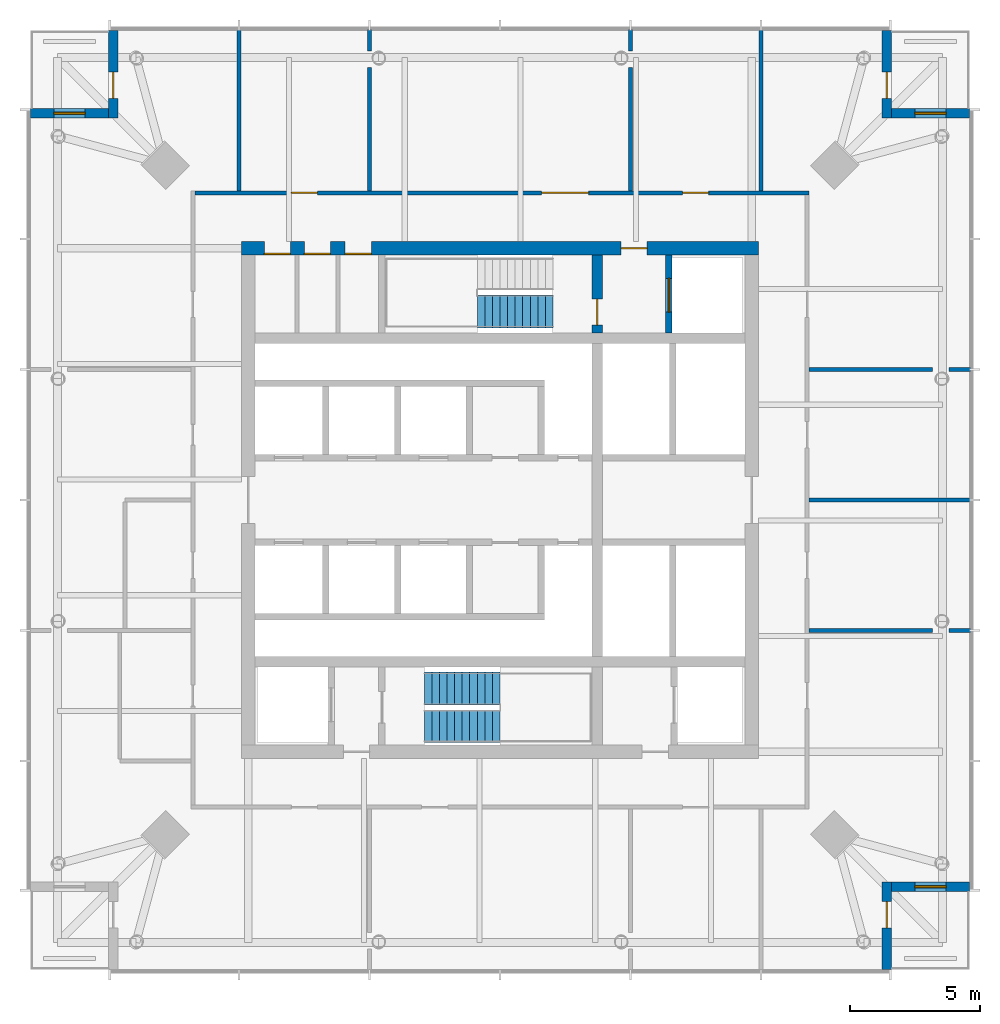
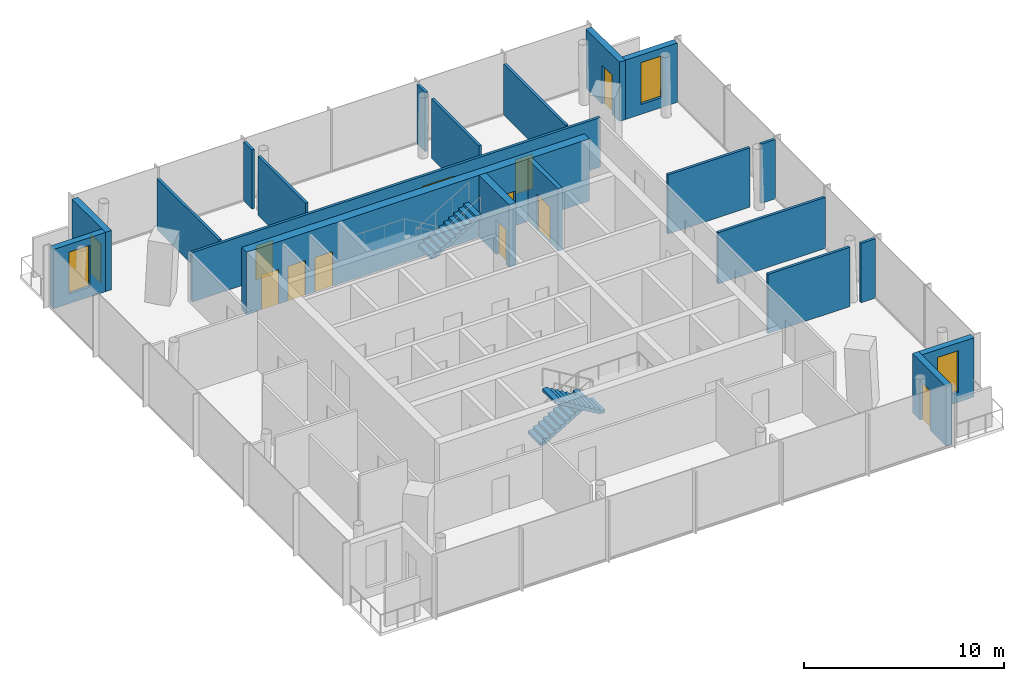
# One storey, part 5 of 7: 21 walls, 12 doors, 3 stair flights, 3 windows, 15 openings, 2 elements without a shape of their own.
"""IFC4 building model written with IfcOpenShell, lengths in metres."""

import ifcopenshell
import ifcopenshell.guid

model = None  # the IFC model being written
_history = None  # IfcOwnerHistory: only IFC2X3 demands one
_inside = {}  # id of a spatial element -> (the spatial element, [elements in it])
_under = {}  # id of a project, library or spatial element -> (it, [spatial elements below it])
_declared = {}  # id of a project -> (the project, [libraries it declares])
_typed = {}  # id of a type object -> (the type object, [elements of that type])
_made_of = {}  # id of a material, layer set ... -> (it, [elements and type objects made of it])


def new_model(schema):
    """Start an empty IFC model of exactly this schema.

    Asked for "IFC4X3", IfcOpenShell would pick the latest addendum, in which some entities
    have other attributes; the version numbers below select the first issue.
    IFC2X3 requires an IfcOwnerHistory on every rooted entity: one is made here for all.
    """
    global model, _history
    if schema == "IFC4X3":
        model = ifcopenshell.file(schema_version=(4, 3, 0, 0))
    else:
        model = ifcopenshell.file(schema=schema)
    _inside.clear()
    _under.clear()
    _declared.clear()
    _typed.clear()
    _made_of.clear()
    _history = None
    if model.schema == "IFC2X3":
        org = make("IfcOrganization", Name="unknown")
        user = make(
            "IfcPersonAndOrganization",
            ThePerson=make("IfcPerson", FamilyName="unknown"),
            TheOrganization=org,
        )
        app = make(
            "IfcApplication",
            ApplicationDeveloper=org,
            Version="unknown",
            ApplicationFullName="unknown",
            ApplicationIdentifier="unknown",
        )
        _history = make(
            "IfcOwnerHistory",
            OwningUser=user,
            OwningApplication=app,
            ChangeAction="ADDED",
            CreationDate=0,
        )
    return model


def make(cls, **values):
    """One entity of the class cls with the attributes given. An attribute that is None is left unset."""
    return model.create_entity(
        cls, **{name: value for name, value in values.items() if value is not None}
    )


def rooted(cls, **values):
    """An entity with a GlobalId (a new one), such as an element, a storey or a relation."""
    return make(cls, GlobalId=ifcopenshell.guid.new(), OwnerHistory=_history, **values)


def si_unit(unit_type, name, prefix=None):
    """IfcSIUnit, for example si_unit("LENGTHUNIT", "METRE", prefix="MILLI")."""
    return make("IfcSIUnit", UnitType=unit_type, Prefix=prefix, Name=name)


def assignment(units):
    """IfcUnitAssignment: the units of a project."""
    return None if units is None else make("IfcUnitAssignment", Units=units)


def point(xyz):
    """IfcCartesianPoint."""
    return None if xyz is None else make("IfcCartesianPoint", Coordinates=xyz)


def direction(xyz):
    """IfcDirection."""
    return None if xyz is None else make("IfcDirection", DirectionRatios=xyz)


def frame(location, z_axis=None, x_axis=None):
    """IfcAxis2Placement3D, a coordinate frame: its origin and axes. An axis left out is left unset."""
    return make(
        "IfcAxis2Placement3D",
        Location=point(location),
        Axis=direction(z_axis),
        RefDirection=direction(x_axis),
    )


def frame_2d(location, x_axis=None):
    """IfcAxis2Placement2D, a coordinate frame in the plane: its origin and x axis."""
    return make(
        "IfcAxis2Placement2D", Location=point(location), RefDirection=direction(x_axis)
    )


def origin():
    """The frame at (0, 0, 0) with its axes left unset."""
    return frame((0.0, 0.0, 0.0))


def place(relative_to, where):
    """IfcLocalPlacement: puts the frame where relative to a parent placement (None: the world)."""
    return make(
        "IfcLocalPlacement", PlacementRelTo=relative_to, RelativePlacement=where
    )


def context(
    kind, dimensions, precision=None, world=None, true_north=None, identifier=None
):
    """IfcGeometricRepresentationContext, for example the 3D "Model" context."""
    return make(
        "IfcGeometricRepresentationContext",
        ContextIdentifier=identifier,
        ContextType=kind,
        CoordinateSpaceDimension=dimensions,
        Precision=precision,
        WorldCoordinateSystem=world,
        TrueNorth=true_north,
    )


def subcontext(parent, identifier, kind, view, scale=None):
    """IfcGeometricRepresentationSubContext, for example "Body" below "Model"."""
    return make(
        "IfcGeometricRepresentationSubContext",
        ContextIdentifier=identifier,
        ContextType=kind,
        ParentContext=parent,
        TargetScale=scale,
        TargetView=view,
    )


def project(units=None, contexts=None):
    """IfcProject with its units and contexts."""
    return rooted(
        "IfcProject",
        Name="project",
        RepresentationContexts=contexts,
        UnitsInContext=assignment(units),
    )


def spatial(cls, under=None, at=None, **own):
    """A site, building, storey or space (cls), placed at a placement, below another one or the project."""
    s = rooted(cls, ObjectPlacement=at, **own)
    if under is not None:
        _under.setdefault(under.id(), (under, []))[1].append(s)
    return s


def polyline(points):
    """IfcPolyline through the points."""
    return make("IfcPolyline", Points=[point(p) for p in points])


def profile(cls, at=None, kind="AREA", **sizes):
    """A parametric profile (cls). Its sizes go by their IFC names, for example OverallWidth=200.0."""
    return make(cls, ProfileType=kind, Position=at, **sizes)


def rectangle(**sizes):
    """IfcRectangleProfileDef."""
    return profile("IfcRectangleProfileDef", **sizes)


def outline(outer, holes=None, kind="AREA"):
    """IfcArbitraryClosedProfileDef: a profile drawn as a closed curve; with holes, ...WithVoids."""
    if holes is None:
        return make("IfcArbitraryClosedProfileDef", ProfileType=kind, OuterCurve=outer)
    return make(
        "IfcArbitraryProfileDefWithVoids",
        ProfileType=kind,
        OuterCurve=outer,
        InnerCurves=holes,
    )


def extrude(swept, where, along, depth):
    """IfcExtrudedAreaSolid: the profile swept, set in the frame where, extruded along a direction by depth."""
    return make(
        "IfcExtrudedAreaSolid",
        SweptArea=swept,
        Position=where,
        ExtrudedDirection=direction(along),
        Depth=depth,
    )


def shape(context_of_items, identifier, shape_type, items):
    """IfcShapeRepresentation: the items that make up one representation, for example the "Body"."""
    return make(
        "IfcShapeRepresentation",
        ContextOfItems=context_of_items,
        RepresentationIdentifier=identifier,
        RepresentationType=shape_type,
        Items=items,
    )


def material(Name=None, Category=None):
    """IfcMaterial."""
    return make("IfcMaterial", Name=Name, Category=Category)


def layer(
    of_material, thickness, ventilated=None, Name=None, Category=None, Priority=None
):
    """IfcMaterialLayer: one layer of a wall or slab, of a material (None: an air gap)."""
    return make(
        "IfcMaterialLayer",
        Material=of_material,
        LayerThickness=thickness,
        IsVentilated=ventilated,
        Name=Name,
        Category=Category,
        Priority=Priority,
    )


def layer_set(layers, Name=None):
    """IfcMaterialLayerSet."""
    return make("IfcMaterialLayerSet", MaterialLayers=layers, LayerSetName=Name)


def made_of(thing, what):
    """Note that an element or type object is made of a material, layer set ...; save() writes the relation."""
    if what is not None:
        _made_of.setdefault(what.id(), (what, []))[1].append(thing)
    return thing


def type_object(cls, material=None, **own):
    """A type object (cls), such as IfcWallType, which elements share."""
    return made_of(rooted(cls, **own), material)


def element(
    cls,
    number,
    at=None,
    inside=None,
    cuts=None,
    type_object=None,
    material=None,
    context=None,
    identifier="Body",
    shape_type=None,
    held_by="IfcProductDefinitionShape",
    body=None,
    shapes=None,
    **own,
):
    """One element of the class cls, such as IfcWall. Its Tag is "e" and its number.

    at: its placement. inside: the storey or other place that contains it. cuts: it is an
    opening in that element (IfcRelVoidsElement). A single representation is given by context,
    identifier, shape_type and body (its items); several are given by shapes. held_by: the class
    of the entity that holds the representations. save() writes the other relations.
    """
    e = rooted(cls, Tag="e%d" % number, ObjectPlacement=at, **own)
    if body is not None:
        shapes = [shape(context, identifier, shape_type, body)]
    if shapes is not None:
        e.Representation = make(held_by, Representations=shapes)
    if inside is not None:
        _inside.setdefault(inside.id(), (inside, []))[1].append(e)
    if cuts is not None:
        rooted(
            "IfcRelVoidsElement", RelatingBuildingElement=cuts, RelatedOpeningElement=e
        )
    if type_object is not None:
        _typed.setdefault(type_object.id(), (type_object, []))[1].append(e)
    return made_of(e, material)


def fill(opening, filler):
    """IfcRelFillsElement: the door or window that sits in an opening."""
    return rooted(
        "IfcRelFillsElement",
        RelatingOpeningElement=opening,
        RelatedBuildingElement=filler,
    )


def aggregate(whole, parts):
    """IfcRelAggregates: a whole, such as a stair, and the parts it consists of."""
    return rooted("IfcRelAggregates", RelatingObject=whole, RelatedObjects=parts)


def save(model, path):
    """Write the relations noted so far, then the file.

    IfcRelAggregates (storeys below a building ...), IfcRelContainedInSpatialStructure (elements
    in a storey), IfcRelDefinesByType, IfcRelAssociatesMaterial and IfcRelDeclares: one each for
    every whole, place, type object, material and project.
    """
    for whole, parts in _under.values():
        aggregate(whole, parts)
    for where, things in _inside.values():
        rooted(
            "IfcRelContainedInSpatialStructure",
            RelatedElements=things,
            RelatingStructure=where,
        )
    for kind, things in _typed.values():
        rooted("IfcRelDefinesByType", RelatedObjects=things, RelatingType=kind)
    for what, things in _made_of.values():
        rooted("IfcRelAssociatesMaterial", RelatedObjects=things, RelatingMaterial=what)
    for by, libraries in _declared.values():
        rooted("IfcRelDeclares", RelatingContext=by, RelatedDefinitions=libraries)
    model.write(path)


model = new_model("IFC4")

# Units and contexts
model_context = context("Model", 3, precision=1e-05, world=origin(), true_north=direction((0.0, 1.0)))
body_context = subcontext(model_context, "Body", "Model", "MODEL_VIEW")
ifc_project = project(units=[si_unit("LENGTHUNIT", "METRE"), si_unit("AREAUNIT", "SQUARE_METRE"), si_unit("VOLUMEUNIT", "CUBIC_METRE"), si_unit("PLANEANGLEUNIT", "RADIAN"), si_unit("MASSUNIT", "GRAM", prefix="KILO")], contexts=[model_context])

# Site, building, storey
site_placement = place(None, origin())
site = spatial("IfcSite", under=ifc_project, at=site_placement, CompositionType="ELEMENT")
building_placement = place(site_placement, origin())
building = spatial("IfcBuilding", under=site, at=building_placement, Name="Ostroluk Exchange", CompositionType="ELEMENT")
storey_placement = place(building_placement, frame((0.0, 0.0, 241.39990234375)))
storey = spatial("IfcBuildingStorey", under=building, at=storey_placement, Name="L62", CompositionType="ELEMENT", Elevation=241.39990234375)

# Wall, opening, door
ifc_material_1 = material(Name="Concrete C50/60", Category="concrete")
ifc_layer_1 = layer(ifc_material_1, 0.39990234375)
ifc_layer_set_1 = layer_set([ifc_layer_1], Name="Core cross wall 400 C50/60")
wall_type_1 = type_object("IfcWallType", Name="Core cross wall 400 C50/60", PredefinedType="SHEAR", material=ifc_layer_set_1)
wall_1_placement = place(storey_placement, frame((48.72998046875, 52.39990234375, 0.0), z_axis=(0.0, 0.0, 1.0), x_axis=(0.0, 1.0, 0.0)))
wall_1 = element("IfcWall", 1, at=wall_1_placement, inside=storey, type_object=wall_type_1, Name="T1 core wall YE3", PredefinedType="SHEAR", context=body_context, shape_type="SweptSolid", body=[
    extrude(rectangle(XDim=3.0, YDim=0.39990234375, at=frame_2d((1.5, 0.0))), origin(), (0.0, 0.0, 1.0), 3.800048828125),
])
opening_1_placement = place(wall_1_placement, frame((0.300048828125, 0.0, 0.0)))
opening_1 = element("IfcOpeningElement", 2, at=opening_1_placement, cuts=wall_1, Name="Opening FD60", PredefinedType="OPENING", context=body_context, shape_type="SweptSolid", body=[
    extrude(rectangle(XDim=1.0, YDim=2.10009765625, at=frame_2d((0.5, 1.050048828125))), frame((0.0, 0.2099609375, 0.0), z_axis=(0.0, -1.0, 0.0), x_axis=(1.0, 0.0, 0.0)), (0.0, 0.0, 1.0), 0.419921875),
])
ifc_material_2 = material(Name="Steel", Category="steel")
door_type_1 = type_object("IfcDoorType", Name="Fire door EI 60 1000 x 2100", OperationType="SINGLE_SWING_LEFT", PredefinedType="DOOR", material=ifc_material_2)
door_1_placement = place(opening_1_placement, origin())
door_1 = element("IfcDoor", 3, at=door_1_placement, inside=storey, type_object=door_type_1, Name="Stair T1-S2 door", OperationType="SINGLE_SWING_LEFT", OverallHeight=2.10009765625, OverallWidth=1.0, PredefinedType="DOOR", context=body_context, shape_type="SweptSolid", body=[
    extrude(rectangle(XDim=1.0, YDim=2.10009765625, at=frame_2d((0.5, 1.050048828125))), frame((0.0, 0.02490234375, 0.0), z_axis=(0.0, -1.0, 0.0), x_axis=(1.0, 0.0, 0.0)), (0.0, 0.0, 1.0), 0.050048828125),
])
fill(opening_1, door_1)

ifc_material_3 = material(Name="Concrete C40/50", Category="concrete")
ifc_layer_2 = layer(ifc_material_3, 0.25)
ifc_layer_set_2 = layer_set([ifc_layer_2], Name="Core shaft wall 250")
wall_type_2 = type_object("IfcWallType", Name="Core shaft wall 250", PredefinedType="SHEAR", material=ifc_layer_set_2)
wall_2_placement = place(storey_placement, frame((51.47509765625, 52.39990234375, 0.0), z_axis=(0.0, 0.0, 1.0), x_axis=(0.0, 1.0, 0.0)))
wall_2 = element("IfcWall", 4, at=wall_2_placement, inside=storey, type_object=wall_type_2, Name="Firefighting lift shaft wall", PredefinedType="SHEAR", context=body_context, shape_type="SweptSolid", body=[
    extrude(rectangle(XDim=3.0, YDim=0.25, at=frame_2d((1.5, 0.0))), origin(), (0.0, 0.0, 1.0), 3.800048828125),
])
opening_2_placement = place(wall_2_placement, frame((0.800048828125, 0.0, 0.0)))
opening_2 = element("IfcOpeningElement", 5, at=opening_2_placement, cuts=wall_2, Name="Opening LD2", PredefinedType="OPENING", context=body_context, shape_type="SweptSolid", body=[
    extrude(rectangle(XDim=1.300048828125, YDim=2.199951171875, at=frame_2d((0.64990234375, 1.10009765625))), frame((0.0, 0.135009765625, 0.0), z_axis=(0.0, -1.0, 0.0), x_axis=(1.0, 0.0, 0.0)), (0.0, 0.0, 1.0), 0.27001953125),
])
ifc_material_4 = material(Name="Stainless steel", Category="steel")
door_type_2 = type_object("IfcDoorType", Name="Lift landing door E 60 1300 x 2200", OperationType="DOUBLE_DOOR_SLIDING", PredefinedType="DOOR", material=ifc_material_4)
door_2_placement = place(opening_2_placement, origin())
door_2 = element("IfcDoor", 6, at=door_2_placement, inside=storey, type_object=door_type_2, Name="Lift FL2 landing door", OperationType="DOUBLE_DOOR_SLIDING", OverallHeight=2.199951171875, OverallWidth=1.300048828125, PredefinedType="DOOR", context=body_context, shape_type="SweptSolid", body=[
    extrude(rectangle(XDim=1.300048828125, YDim=2.199951171875, at=frame_2d((0.64990234375, 1.10009765625))), frame((0.0, 0.02490234375, 0.0), z_axis=(0.0, -1.0, 0.0), x_axis=(1.0, 0.0, 0.0)), (0.0, 0.0, 1.0), 0.050048828125),
])
fill(opening_2, door_2)

# Wall, openings, doors
ifc_material_5 = material(Name="Concrete C50/60", Category="concrete")
ifc_layer_3 = layer(ifc_material_5, 0.5)
ifc_layer_set_3 = layer_set([ifc_layer_3], Name="Core wall 500 C50/60")
wall_type_3 = type_object("IfcWallType", Name="Core wall 500 C50/60", PredefinedType="SHEAR", material=ifc_layer_set_3)
wall_3_placement = place(storey_placement, frame((35.10009765625, 55.64990234375, 0.0), z_axis=(0.0, 0.0, 1.0), x_axis=(1.0, 0.0, 0.0)))
wall_3 = element("IfcWall", 7, at=wall_3_placement, inside=storey, type_object=wall_type_3, Name="T1 core wall N", PredefinedType="SHEAR", context=body_context, shape_type="SweptSolid", body=[
    extrude(rectangle(XDim=19.7998046875, YDim=0.5, at=frame_2d((9.89990234375, 0.0))), origin(), (0.0, 0.0, 1.0), 3.800048828125),
])
opening_3_placement = place(wall_3_placement, frame((14.5400390625, 0.0, 0.0)))
opening_3 = element("IfcOpeningElement", 8, at=opening_3_placement, cuts=wall_3, Name="Opening FD60", PredefinedType="OPENING", context=body_context, shape_type="SweptSolid", body=[
    extrude(rectangle(XDim=1.0, YDim=2.10009765625, at=frame_2d((0.5, 1.050048828125))), frame((0.0, 0.260009765625, 0.0), z_axis=(0.0, -1.0, 0.0), x_axis=(1.0, 0.0, 0.0)), (0.0, 0.0, 1.0), 0.52001953125),
])
opening_4_placement = place(wall_3_placement, frame((0.864990234375, 0.0, 0.0)))
opening_4 = element("IfcOpeningElement", 9, at=opening_4_placement, cuts=wall_3, Name="Opening FD60", PredefinedType="OPENING", context=body_context, shape_type="SweptSolid", body=[
    extrude(rectangle(XDim=1.0, YDim=2.10009765625, at=frame_2d((0.5, 1.050048828125))), frame((0.0, 0.260009765625, 0.0), z_axis=(0.0, -1.0, 0.0), x_axis=(1.0, 0.0, 0.0)), (0.0, 0.0, 1.0), 0.52001953125),
])
opening_5_placement = place(wall_3_placement, frame((2.398681640625, 0.0, 0.0)))
opening_5 = element("IfcOpeningElement", 10, at=opening_5_placement, cuts=wall_3, Name="Opening FD60", PredefinedType="OPENING", context=body_context, shape_type="SweptSolid", body=[
    extrude(rectangle(XDim=1.0, YDim=2.10009765625, at=frame_2d((0.5, 1.050048828125))), frame((0.0, 0.260009765625, 0.0), z_axis=(0.0, -1.0, 0.0), x_axis=(1.0, 0.0, 0.0)), (0.0, 0.0, 1.0), 0.52001953125),
])
opening_6_placement = place(wall_3_placement, frame((3.96630859375, 0.0, 0.0)))
opening_6 = element("IfcOpeningElement", 11, at=opening_6_placement, cuts=wall_3, Name="Opening FD60", PredefinedType="OPENING", context=body_context, shape_type="SweptSolid", body=[
    extrude(rectangle(XDim=1.0, YDim=2.10009765625, at=frame_2d((0.5, 1.050048828125))), frame((0.0, 0.260009765625, 0.0), z_axis=(0.0, -1.0, 0.0), x_axis=(1.0, 0.0, 0.0)), (0.0, 0.0, 1.0), 0.52001953125),
])
door_3_placement = place(opening_3_placement, origin())
door_3 = element("IfcDoor", 12, at=door_3_placement, inside=storey, type_object=door_type_1, Name="Firefighting lobby door", OperationType="SINGLE_SWING_RIGHT", OverallHeight=2.10009765625, OverallWidth=1.0, PredefinedType="DOOR", context=body_context, shape_type="SweptSolid", body=[
    extrude(rectangle(XDim=1.0, YDim=2.10009765625, at=frame_2d((0.5, 1.050048828125))), frame((0.0, 0.02490234375, 0.0), z_axis=(0.0, -1.0, 0.0), x_axis=(1.0, 0.0, 0.0)), (0.0, 0.0, 1.0), 0.050048828125),
])
fill(opening_3, door_3)
door_4_placement = place(opening_4_placement, origin())
door_4 = element("IfcDoor", 13, at=door_4_placement, inside=storey, type_object=door_type_1, Name="Cleaner's store door", OperationType="SINGLE_SWING_LEFT", OverallHeight=2.10009765625, OverallWidth=1.0, PredefinedType="DOOR", context=body_context, shape_type="SweptSolid", body=[
    extrude(rectangle(XDim=1.0, YDim=2.10009765625, at=frame_2d((0.5, 1.050048828125))), frame((0.0, -0.18994140625, 0.0), z_axis=(0.0, -1.0, 0.0), x_axis=(1.0, 0.0, 0.0)), (0.0, 0.0, 1.0), 0.050048828125),
])
fill(opening_4, door_4)
door_5_placement = place(opening_5_placement, origin())
door_5 = element("IfcDoor", 14, at=door_5_placement, inside=storey, type_object=door_type_1, Name="Store door", OperationType="SINGLE_SWING_LEFT", OverallHeight=2.10009765625, OverallWidth=1.0, PredefinedType="DOOR", context=body_context, shape_type="SweptSolid", body=[
    extrude(rectangle(XDim=1.0, YDim=2.10009765625, at=frame_2d((0.5, 1.050048828125))), frame((0.0, -0.18994140625, 0.0), z_axis=(0.0, -1.0, 0.0), x_axis=(1.0, 0.0, 0.0)), (0.0, 0.0, 1.0), 0.050048828125),
])
fill(opening_5, door_5)
door_6_placement = place(opening_6_placement, origin())
door_6 = element("IfcDoor", 15, at=door_6_placement, inside=storey, type_object=door_type_1, Name="Comms room door", OperationType="SINGLE_SWING_LEFT", OverallHeight=2.10009765625, OverallWidth=1.0, PredefinedType="DOOR", context=body_context, shape_type="SweptSolid", body=[
    extrude(rectangle(XDim=1.0, YDim=2.10009765625, at=frame_2d((0.5, 1.050048828125))), frame((0.0, -0.18994140625, 0.0), z_axis=(0.0, -1.0, 0.0), x_axis=(1.0, 0.0, 0.0)), (0.0, 0.0, 1.0), 0.050048828125),
])
fill(opening_6, door_6)

# Wall, opening, door
ifc_material_6 = material(Name="Limestone", Category="masonry")
ifc_layer_4 = layer(ifc_material_6, 0.35009765625)
ifc_layer_set_4 = layer_set([ifc_layer_4], Name="Limestone facade wall 350")
wall_type_4 = type_object("IfcWallType", Name="Limestone facade wall 350", PredefinedType="SOLIDWALL", material=ifc_layer_set_4)
wall_4_placement = place(storey_placement, frame((59.824951171875, 28.0, 0.0), z_axis=(0.0, 0.0, 1.0), x_axis=(0.0, 1.0, 0.0)))
wall_4 = element("IfcWall", 16, at=wall_4_placement, inside=storey, type_object=wall_type_4, Name="Office tower SE corner wall L62 a", PredefinedType="SOLIDWALL", context=body_context, shape_type="SweptSolid", body=[
    extrude(rectangle(XDim=3.35009765625, YDim=0.35009765625, at=frame_2d((1.675048828125, 0.0))), origin(), (0.0, 0.0, 1.0), 3.6201171875),
])
opening_7_placement = place(wall_4_placement, frame((1.60009765625, 0.0, 0.0)))
opening_7 = element("IfcOpeningElement", 17, at=opening_7_placement, cuts=wall_4, Name="Opening D-B1", PredefinedType="OPENING", context=body_context, shape_type="SweptSolid", body=[
    extrude(rectangle(XDim=1.0, YDim=2.39990234375, at=frame_2d((0.5, 1.199951171875))), frame((0.0, 0.18505859375, 0.0), z_axis=(0.0, -1.0, 0.0), x_axis=(1.0, 0.0, 0.0)), (0.0, 0.0, 1.0), 0.3701171875),
])
ifc_material_7 = material(Name="Bronze framed glazed door", Category="aluminium")
door_type_3 = type_object("IfcDoorType", Name="Balcony door 1000 x 2400", OperationType="SINGLE_SWING_LEFT", PredefinedType="DOOR", material=ifc_material_7)
door_7_placement = place(opening_7_placement, origin())
door_7 = element("IfcDoor", 18, at=door_7_placement, inside=storey, type_object=door_type_3, Name="Office tower SE balcony door L62", OperationType="SINGLE_SWING_RIGHT", OverallHeight=2.39990234375, OverallWidth=1.0, PredefinedType="DOOR", context=body_context, shape_type="SweptSolid", body=[
    extrude(rectangle(XDim=1.0, YDim=2.39990234375, at=frame_2d((0.5, 1.199951171875))), frame((0.0, 0.02490234375, 0.0), z_axis=(0.0, -1.0, 0.0), x_axis=(1.0, 0.0, 0.0)), (0.0, 0.0, 1.0), 0.050048828125),
])
fill(opening_7, door_7)

# Wall, opening, window
wall_5_placement = place(storey_placement, frame((60.0, 31.175048828125, 0.0), z_axis=(0.0, 0.0, 1.0), x_axis=(1.0, 0.0, 0.0)))
wall_5 = element("IfcWall", 19, at=wall_5_placement, inside=storey, type_object=wall_type_4, Name="Office tower SE corner wall L62 b", PredefinedType="SOLIDWALL", context=body_context, shape_type="SweptSolid", body=[
    extrude(rectangle(XDim=3.0, YDim=0.35009765625, at=frame_2d((1.5, 0.0))), origin(), (0.0, 0.0, 1.0), 3.6201171875),
])
opening_8_placement = place(wall_5_placement, frame((0.89990234375, 0.0, 0.60009765625)))
opening_8 = element("IfcOpeningElement", 20, at=opening_8_placement, cuts=wall_5, Name="Opening WN-L1", PredefinedType="OPENING", context=body_context, shape_type="SweptSolid", body=[
    extrude(rectangle(XDim=1.199951171875, YDim=2.550048828125, at=frame_2d((0.60009765625, 1.27490234375))), frame((0.0, 0.18505859375, 0.0), z_axis=(0.0, -1.0, 0.0), x_axis=(1.0, 0.0, 0.0)), (0.0, 0.0, 1.0), 0.3701171875),
])
ifc_material_8 = material(Name="Laminated clear glass", Category="glass")
window_type = type_object("IfcWindowType", Name="Lancet window 1200 x 2550", PartitioningType="SINGLE_PANEL", PredefinedType="WINDOW", material=ifc_material_8)
window_1_placement = place(opening_8_placement, origin())
window_1 = element("IfcWindow", 21, at=window_1_placement, inside=storey, type_object=window_type, Name="Office tower SE lancet window L62", OverallHeight=2.550048828125, OverallWidth=1.199951171875, PartitioningType="SINGLE_PANEL", PredefinedType="WINDOW", context=body_context, shape_type="SweptSolid", body=[
    extrude(rectangle(XDim=1.199951171875, YDim=2.550048828125, at=frame_2d((0.60009765625, 1.27490234375))), frame((0.0, 0.030029296875, 0.0), z_axis=(0.0, -1.0, 0.0), x_axis=(1.0, 0.0, 0.0)), (0.0, 0.0, 1.0), 0.06005859375),
])
fill(opening_8, window_1)

# Wall, opening, door
wall_6_placement = place(storey_placement, frame((59.824951171875, 64.0, 0.0), z_axis=(0.0, 0.0, 1.0), x_axis=(0.0, -1.0, 0.0)))
wall_6 = element("IfcWall", 22, at=wall_6_placement, inside=storey, type_object=wall_type_4, Name="Office tower NE corner wall L62 a", PredefinedType="SOLIDWALL", context=body_context, shape_type="SweptSolid", body=[
    extrude(rectangle(XDim=3.35009765625, YDim=0.35009765625, at=frame_2d((1.675048828125, 0.0))), origin(), (0.0, 0.0, 1.0), 3.6201171875),
])
opening_9_placement = place(wall_6_placement, frame((1.60009765625, 0.0, 0.0)))
opening_9 = element("IfcOpeningElement", 23, at=opening_9_placement, cuts=wall_6, Name="Opening D-B1", PredefinedType="OPENING", context=body_context, shape_type="SweptSolid", body=[
    extrude(rectangle(XDim=1.0, YDim=2.39990234375, at=frame_2d((0.5, 1.199951171875))), frame((0.0, 0.18505859375, 0.0), z_axis=(0.0, -1.0, 0.0), x_axis=(1.0, 0.0, 0.0)), (0.0, 0.0, 1.0), 0.3701171875),
])
door_8_placement = place(opening_9_placement, origin())
door_8 = element("IfcDoor", 24, at=door_8_placement, inside=storey, type_object=door_type_3, Name="Office tower NE balcony door L62", OperationType="SINGLE_SWING_RIGHT", OverallHeight=2.39990234375, OverallWidth=1.0, PredefinedType="DOOR", context=body_context, shape_type="SweptSolid", body=[
    extrude(rectangle(XDim=1.0, YDim=2.39990234375, at=frame_2d((0.5, 1.199951171875))), frame((0.0, 0.02490234375, 0.0), z_axis=(0.0, -1.0, 0.0), x_axis=(1.0, 0.0, 0.0)), (0.0, 0.0, 1.0), 0.050048828125),
])
fill(opening_9, door_8)

# Wall, opening, window
wall_7_placement = place(storey_placement, frame((60.0, 60.824951171875, 0.0), z_axis=(0.0, 0.0, 1.0), x_axis=(1.0, 0.0, 0.0)))
wall_7 = element("IfcWall", 25, at=wall_7_placement, inside=storey, type_object=wall_type_4, Name="Office tower NE corner wall L62 b", PredefinedType="SOLIDWALL", context=body_context, shape_type="SweptSolid", body=[
    extrude(rectangle(XDim=3.0, YDim=0.35009765625, at=frame_2d((1.5, 0.0))), origin(), (0.0, 0.0, 1.0), 3.6201171875),
])
opening_10_placement = place(wall_7_placement, frame((0.89990234375, 0.0, 0.60009765625)))
opening_10 = element("IfcOpeningElement", 26, at=opening_10_placement, cuts=wall_7, Name="Opening WN-L1", PredefinedType="OPENING", context=body_context, shape_type="SweptSolid", body=[
    extrude(rectangle(XDim=1.199951171875, YDim=2.550048828125, at=frame_2d((0.60009765625, 1.27490234375))), frame((0.0, 0.18505859375, 0.0), z_axis=(0.0, -1.0, 0.0), x_axis=(1.0, 0.0, 0.0)), (0.0, 0.0, 1.0), 0.3701171875),
])
window_2_placement = place(opening_10_placement, origin())
window_2 = element("IfcWindow", 27, at=window_2_placement, inside=storey, type_object=window_type, Name="Office tower NE lancet window L62", OverallHeight=2.550048828125, OverallWidth=1.199951171875, PartitioningType="SINGLE_PANEL", PredefinedType="WINDOW", context=body_context, shape_type="SweptSolid", body=[
    extrude(rectangle(XDim=1.199951171875, YDim=2.550048828125, at=frame_2d((0.60009765625, 1.27490234375))), frame((0.0, 0.030029296875, 0.0), z_axis=(0.0, -1.0, 0.0), x_axis=(1.0, 0.0, 0.0)), (0.0, 0.0, 1.0), 0.06005859375),
])
fill(opening_10, window_2)

# Wall, opening, door
wall_8_placement = place(storey_placement, frame((30.175048828125, 64.0, 0.0), z_axis=(0.0, 0.0, 1.0), x_axis=(0.0, -1.0, 0.0)))
wall_8 = element("IfcWall", 28, at=wall_8_placement, inside=storey, type_object=wall_type_4, Name="Office tower NW corner wall L62 a", PredefinedType="SOLIDWALL", context=body_context, shape_type="SweptSolid", body=[
    extrude(rectangle(XDim=3.35009765625, YDim=0.35009765625, at=frame_2d((1.675048828125, 0.0))), origin(), (0.0, 0.0, 1.0), 3.6201171875),
])
opening_11_placement = place(wall_8_placement, frame((1.60009765625, 0.0, 0.0)))
opening_11 = element("IfcOpeningElement", 29, at=opening_11_placement, cuts=wall_8, Name="Opening D-B1", PredefinedType="OPENING", context=body_context, shape_type="SweptSolid", body=[
    extrude(rectangle(XDim=1.0, YDim=2.39990234375, at=frame_2d((0.5, 1.199951171875))), frame((0.0, 0.18505859375, 0.0), z_axis=(0.0, -1.0, 0.0), x_axis=(1.0, 0.0, 0.0)), (0.0, 0.0, 1.0), 0.3701171875),
])
door_9_placement = place(opening_11_placement, origin())
door_9 = element("IfcDoor", 30, at=door_9_placement, inside=storey, type_object=door_type_3, Name="Office tower NW balcony door L62", OperationType="SINGLE_SWING_RIGHT", OverallHeight=2.39990234375, OverallWidth=1.0, PredefinedType="DOOR", context=body_context, shape_type="SweptSolid", body=[
    extrude(rectangle(XDim=1.0, YDim=2.39990234375, at=frame_2d((0.5, 1.199951171875))), frame((0.0, 0.02490234375, 0.0), z_axis=(0.0, -1.0, 0.0), x_axis=(1.0, 0.0, 0.0)), (0.0, 0.0, 1.0), 0.050048828125),
])
fill(opening_11, door_9)

# Wall, opening, window
wall_9_placement = place(storey_placement, frame((30.0, 60.824951171875, 0.0), z_axis=(0.0, 0.0, 1.0), x_axis=(-1.0, 0.0, 0.0)))
wall_9 = element("IfcWall", 31, at=wall_9_placement, inside=storey, type_object=wall_type_4, Name="Office tower NW corner wall L62 b", PredefinedType="SOLIDWALL", context=body_context, shape_type="SweptSolid", body=[
    extrude(rectangle(XDim=3.0, YDim=0.35009765625, at=frame_2d((1.5, 0.0))), origin(), (0.0, 0.0, 1.0), 3.6201171875),
])
opening_12_placement = place(wall_9_placement, frame((0.89990234375, 0.0, 0.60009765625)))
opening_12 = element("IfcOpeningElement", 32, at=opening_12_placement, cuts=wall_9, Name="Opening WN-L1", PredefinedType="OPENING", context=body_context, shape_type="SweptSolid", body=[
    extrude(rectangle(XDim=1.199951171875, YDim=2.550048828125, at=frame_2d((0.60009765625, 1.27490234375))), frame((0.0, 0.18505859375, 0.0), z_axis=(0.0, -1.0, 0.0), x_axis=(1.0, 0.0, 0.0)), (0.0, 0.0, 1.0), 0.3701171875),
])
window_3_placement = place(opening_12_placement, origin())
window_3 = element("IfcWindow", 33, at=window_3_placement, inside=storey, type_object=window_type, Name="Office tower NW lancet window L62", OverallHeight=2.550048828125, OverallWidth=1.199951171875, PartitioningType="SINGLE_PANEL", PredefinedType="WINDOW", context=body_context, shape_type="SweptSolid", body=[
    extrude(rectangle(XDim=1.199951171875, YDim=2.550048828125, at=frame_2d((0.60009765625, 1.27490234375))), frame((0.0, 0.030029296875, 0.0), z_axis=(0.0, -1.0, 0.0), x_axis=(1.0, 0.0, 0.0)), (0.0, 0.0, 1.0), 0.06005859375),
])
fill(opening_12, window_3)

# Walls
ifc_material_9 = material(Name="Gypsum plasterboard partition", Category="gypsum")
ifc_layer_5 = layer(ifc_material_9, 0.14990234375)
ifc_layer_set_5 = layer_set([ifc_layer_5], Name="Plasterboard partition 150")
wall_type_5 = type_object("IfcWallType", Name="Plasterboard partition 150", PredefinedType="PARTITIONING", material=ifc_layer_set_5)
wall_10_placement = place(storey_placement, frame((56.85009765625, 41.0, 0.0), z_axis=(0.0, 0.0, 1.0), x_axis=(1.0, 0.0, 0.0)))
element("IfcWall", 34, at=wall_10_placement, inside=storey, type_object=wall_type_5, Name="Partition", PredefinedType="PARTITIONING", context=body_context, shape_type="SweptSolid", body=[
    extrude(rectangle(XDim=4.731689453125, YDim=0.14990234375, at=frame_2d((2.36572265625, 0.0))), origin(), (0.0, 0.0, 1.0), 3.6201171875),
])
wall_11_placement = place(storey_placement, frame((62.211181640625, 41.0, 0.0), z_axis=(0.0, 0.0, 1.0), x_axis=(1.0, 0.0, 0.0)))
element("IfcWall", 35, at=wall_11_placement, inside=storey, type_object=wall_type_5, Name="Partition", PredefinedType="PARTITIONING", context=body_context, shape_type="SweptSolid", body=[
    extrude(rectangle(XDim=0.828857421875, YDim=0.14990234375, at=frame_2d((0.41455078125, 0.0))), origin(), (0.0, 0.0, 1.0), 3.6201171875),
])
wall_12_placement = place(storey_placement, frame((56.85009765625, 46.0, 0.0), z_axis=(0.0, 0.0, 1.0), x_axis=(1.0, 0.0, 0.0)))
element("IfcWall", 36, at=wall_12_placement, inside=storey, type_object=wall_type_5, Name="Partition", PredefinedType="PARTITIONING", context=body_context, shape_type="SweptSolid", body=[
    extrude(rectangle(XDim=6.18994140625, YDim=0.14990234375, at=frame_2d((3.094970703125, 0.0))), origin(), (0.0, 0.0, 1.0), 3.1201171875),
])
wall_13_placement = place(storey_placement, frame((56.85009765625, 51.0, 0.0), z_axis=(0.0, 0.0, 1.0), x_axis=(1.0, 0.0, 0.0)))
element("IfcWall", 37, at=wall_13_placement, inside=storey, type_object=wall_type_5, Name="Partition", PredefinedType="PARTITIONING", context=body_context, shape_type="SweptSolid", body=[
    extrude(rectangle(XDim=4.731689453125, YDim=0.14990234375, at=frame_2d((2.36572265625, 0.0))), origin(), (0.0, 0.0, 1.0), 3.6201171875),
])
wall_14_placement = place(storey_placement, frame((62.211181640625, 51.0, 0.0), z_axis=(0.0, 0.0, 1.0), x_axis=(1.0, 0.0, 0.0)))
element("IfcWall", 38, at=wall_14_placement, inside=storey, type_object=wall_type_5, Name="Partition", PredefinedType="PARTITIONING", context=body_context, shape_type="SweptSolid", body=[
    extrude(rectangle(XDim=0.828857421875, YDim=0.14990234375, at=frame_2d((0.41455078125, 0.0))), origin(), (0.0, 0.0, 1.0), 3.6201171875),
])

# Wall, openings, doors
wall_15_placement = place(storey_placement, frame((56.85009765625, 57.77490234375, 0.0), z_axis=(0.0, 0.0, 1.0), x_axis=(-1.0, 0.0, 0.0)))
wall_15 = element("IfcWall", 39, at=wall_15_placement, inside=storey, type_object=wall_type_5, Name="Partition", PredefinedType="PARTITIONING", context=body_context, shape_type="SweptSolid", body=[
    extrude(rectangle(XDim=23.550048828125, YDim=0.14990234375, at=frame_2d((11.77490234375, 0.0))), origin(), (0.0, 0.0, 1.0), 3.02001953125),
])
opening_13_placement = place(wall_15_placement, frame((3.85009765625, 0.0, 0.0)))
opening_13 = element("IfcOpeningElement", 40, at=opening_13_placement, cuts=wall_15, Name="Opening D-03", PredefinedType="OPENING", context=body_context, shape_type="SweptSolid", body=[
    extrude(rectangle(XDim=1.0, YDim=2.10009765625, at=frame_2d((0.5, 1.050048828125))), frame((0.0, 0.0849609375, 0.0), z_axis=(0.0, -1.0, 0.0), x_axis=(1.0, 0.0, 0.0)), (0.0, 0.0, 1.0), 0.169921875),
])
opening_14_placement = place(wall_15_placement, frame((8.449951171875, 0.0, 0.0)))
opening_14 = element("IfcOpeningElement", 41, at=opening_14_placement, cuts=wall_15, Name="Opening D-04", PredefinedType="OPENING", context=body_context, shape_type="SweptSolid", body=[
    extrude(rectangle(XDim=1.800048828125, YDim=2.39990234375, at=frame_2d((0.89990234375, 1.199951171875))), frame((0.0, 0.0849609375, 0.0), z_axis=(0.0, -1.0, 0.0), x_axis=(1.0, 0.0, 0.0)), (0.0, 0.0, 1.0), 0.169921875),
])
opening_15_placement = place(wall_15_placement, frame((18.85009765625, 0.0, 0.0)))
opening_15 = element("IfcOpeningElement", 42, at=opening_15_placement, cuts=wall_15, Name="Opening D-03", PredefinedType="OPENING", context=body_context, shape_type="SweptSolid", body=[
    extrude(rectangle(XDim=1.0, YDim=2.10009765625, at=frame_2d((0.5, 1.050048828125))), frame((0.0, 0.0849609375, 0.0), z_axis=(0.0, -1.0, 0.0), x_axis=(1.0, 0.0, 0.0)), (0.0, 0.0, 1.0), 0.169921875),
])
ifc_material_10 = material(Name="Timber", Category="wood")
door_type_4 = type_object("IfcDoorType", Name="Double door 1800 x 2400", OperationType="DOUBLE_DOOR_SINGLE_SWING", PredefinedType="DOOR", material=ifc_material_10)
door_10_placement = place(opening_14_placement, origin())
door_10 = element("IfcDoor", 43, at=door_10_placement, inside=storey, type_object=door_type_4, Name="Boardroom door", OperationType="DOUBLE_DOOR_SINGLE_SWING", OverallHeight=2.39990234375, OverallWidth=1.800048828125, PredefinedType="DOOR", context=body_context, shape_type="SweptSolid", body=[
    extrude(rectangle(XDim=1.800048828125, YDim=2.39990234375, at=frame_2d((0.89990234375, 1.199951171875))), frame((0.0, 0.02490234375, 0.0), z_axis=(0.0, -1.0, 0.0), x_axis=(1.0, 0.0, 0.0)), (0.0, 0.0, 1.0), 0.050048828125),
])
fill(opening_14, door_10)
ifc_material_11 = material(Name="Timber", Category="wood")
door_type_5 = type_object("IfcDoorType", Name="Internal door 1000 x 2100", OperationType="SINGLE_SWING_LEFT", PredefinedType="DOOR", material=ifc_material_11)
door_11_placement = place(opening_13_placement, origin())
door_11 = element("IfcDoor", 44, at=door_11_placement, inside=storey, type_object=door_type_5, Name="Office door", OperationType="SINGLE_SWING_LEFT", OverallHeight=2.10009765625, OverallWidth=1.0, PredefinedType="DOOR", context=body_context, shape_type="SweptSolid", body=[
    extrude(rectangle(XDim=1.0, YDim=2.10009765625, at=frame_2d((0.5, 1.050048828125))), frame((0.0, 0.02490234375, 0.0), z_axis=(0.0, -1.0, 0.0), x_axis=(1.0, 0.0, 0.0)), (0.0, 0.0, 1.0), 0.050048828125),
])
fill(opening_13, door_11)
door_12_placement = place(opening_15_placement, origin())
door_12 = element("IfcDoor", 45, at=door_12_placement, inside=storey, type_object=door_type_5, Name="Office door", OperationType="SINGLE_SWING_RIGHT", OverallHeight=2.10009765625, OverallWidth=1.0, PredefinedType="DOOR", context=body_context, shape_type="SweptSolid", body=[
    extrude(rectangle(XDim=1.0, YDim=2.10009765625, at=frame_2d((0.5, 1.050048828125))), frame((0.0, 0.02490234375, 0.0), z_axis=(0.0, -1.0, 0.0), x_axis=(1.0, 0.0, 0.0)), (0.0, 0.0, 1.0), 0.050048828125),
])
fill(opening_15, door_12)

# Walls
wall_16_placement = place(storey_placement, frame((55.0, 57.85009765625, 0.0), z_axis=(0.0, 0.0, 1.0), x_axis=(0.0, 1.0, 0.0)))
element("IfcWall", 46, at=wall_16_placement, inside=storey, type_object=wall_type_5, Name="Partition", PredefinedType="PARTITIONING", context=body_context, shape_type="SweptSolid", body=[
    extrude(rectangle(XDim=6.18994140625, YDim=0.14990234375, at=frame_2d((3.094970703125, 0.0))), origin(), (0.0, 0.0, 1.0), 3.1201171875),
])
wall_17_placement = place(storey_placement, frame((50.0, 57.85009765625, 0.0), z_axis=(0.0, 0.0, 1.0), x_axis=(0.0, 1.0, 0.0)))
element("IfcWall", 47, at=wall_17_placement, inside=storey, type_object=wall_type_5, Name="Partition", PredefinedType="PARTITIONING", context=body_context, shape_type="SweptSolid", body=[
    extrude(rectangle(XDim=4.731689453125, YDim=0.14990234375, at=frame_2d((2.36572265625, 0.0))), origin(), (0.0, 0.0, 1.0), 3.6201171875),
])
wall_18_placement = place(storey_placement, frame((50.0, 63.211181640625, 0.0), z_axis=(0.0, 0.0, 1.0), x_axis=(0.0, 1.0, 0.0)))
element("IfcWall", 48, at=wall_18_placement, inside=storey, type_object=wall_type_5, Name="Partition", PredefinedType="PARTITIONING", context=body_context, shape_type="SweptSolid", body=[
    extrude(rectangle(XDim=0.828857421875, YDim=0.14990234375, at=frame_2d((0.41455078125, 0.0))), origin(), (0.0, 0.0, 1.0), 3.6201171875),
])
wall_19_placement = place(storey_placement, frame((40.0, 57.85009765625, 0.0), z_axis=(0.0, 0.0, 1.0), x_axis=(0.0, 1.0, 0.0)))
element("IfcWall", 49, at=wall_19_placement, inside=storey, type_object=wall_type_5, Name="Partition", PredefinedType="PARTITIONING", context=body_context, shape_type="SweptSolid", body=[
    extrude(rectangle(XDim=4.731689453125, YDim=0.14990234375, at=frame_2d((2.36572265625, 0.0))), origin(), (0.0, 0.0, 1.0), 3.6201171875),
])
wall_20_placement = place(storey_placement, frame((40.0, 63.211181640625, 0.0), z_axis=(0.0, 0.0, 1.0), x_axis=(0.0, 1.0, 0.0)))
element("IfcWall", 50, at=wall_20_placement, inside=storey, type_object=wall_type_5, Name="Partition", PredefinedType="PARTITIONING", context=body_context, shape_type="SweptSolid", body=[
    extrude(rectangle(XDim=0.828857421875, YDim=0.14990234375, at=frame_2d((0.41455078125, 0.0))), origin(), (0.0, 0.0, 1.0), 3.6201171875),
])
wall_21_placement = place(storey_placement, frame((35.0, 57.85009765625, 0.0), z_axis=(0.0, 0.0, 1.0), x_axis=(0.0, 1.0, 0.0)))
element("IfcWall", 51, at=wall_21_placement, inside=storey, type_object=wall_type_5, Name="Partition", PredefinedType="PARTITIONING", context=body_context, shape_type="SweptSolid", body=[
    extrude(rectangle(XDim=6.18994140625, YDim=0.14990234375, at=frame_2d((3.094970703125, 0.0))), origin(), (0.0, 0.0, 1.0), 3.1201171875),
])

# Stair, stair flights
ifc_material_12 = material(Name="Concrete C30/37", Category="concrete")
stair_type = type_object("IfcStairType", Name="Exit stair half turn 3800", PredefinedType="HALF_TURN_STAIR", material=ifc_material_12)
stair_1_placement = place(storey_placement, origin())
stair_1 = element("IfcStair", 52, at=stair_1_placement, inside=storey, type_object=stair_type, Name="Stair T1-S1 L62", PredefinedType="HALF_TURN_STAIR")
ifc_material_13 = material(Name="Concrete C30/37", Category="concrete")
stair_flight_type = type_object("IfcStairFlightType", Name="Stair flight 11 risers 172.7 x 290", PredefinedType="STRAIGHT", material=ifc_material_13)
stair_flight_1_placement = place(storey_placement, frame((42.10009765625, 38.77490234375, 0.0), z_axis=(0.0, 0.0, 1.0), x_axis=(1.0, 0.0, 0.0)))
stair_flight_1 = element("IfcStairFlight", 53, at=stair_flight_1_placement, type_object=stair_flight_type, Name="T1-S1 flight 1", NumberOfRisers=11, NumberOfTreads=10, PredefinedType="STRAIGHT", RiserHeight=0.172727273, TreadLength=0.29, context=body_context, shape_type="SweptSolid", body=[
    extrude(outline(polyline([(0.0, 0.0), (0.0, 0.172607421875), (0.2900390625, 0.172607421875), (0.2900390625, 0.345458984375), (0.580078125, 0.345458984375), (0.580078125, 0.51806640625), (0.8701171875, 0.51806640625), (0.8701171875, 0.69091796875), (1.159912109375, 0.69091796875), (1.159912109375, 0.863525390625), (1.449951171875, 0.863525390625), (1.449951171875, 1.036376953125), (1.739990234375, 1.036376953125), (1.739990234375, 1.208984375), (2.030029296875, 1.208984375), (2.030029296875, 1.3818359375), (2.320068359375, 1.3818359375), (2.320068359375, 1.554443359375), (2.610107421875, 1.554443359375), (2.610107421875, 1.727294921875), (2.89990234375, 1.727294921875), (2.89990234375, 1.89990234375), (2.89990234375, 1.552734375), (0.29296875, 0.0), (0.0, 0.0)])), frame((0.0, 0.625, 0.0), z_axis=(0.0, -1.0, 0.0), x_axis=(1.0, 0.0, 0.0)), (0.0, 0.0, 1.0), 1.25),
])
stair_flight_2_placement = place(storey_placement, frame((45.0, 37.324951171875, 1.900146484375), z_axis=(0.0, 0.0, 1.0), x_axis=(-1.0, 0.0, 0.0)))
stair_flight_2 = element("IfcStairFlight", 54, at=stair_flight_2_placement, type_object=stair_flight_type, Name="T1-S1 flight 2", NumberOfRisers=11, NumberOfTreads=10, PredefinedType="STRAIGHT", RiserHeight=0.172727273, TreadLength=0.29, context=body_context, shape_type="SweptSolid", body=[
    extrude(outline(polyline([(0.0, 0.0), (0.0, 0.172607421875), (0.2900390625, 0.172607421875), (0.2900390625, 0.345458984375), (0.580078125, 0.345458984375), (0.580078125, 0.51806640625), (0.8701171875, 0.51806640625), (0.8701171875, 0.69091796875), (1.159912109375, 0.69091796875), (1.159912109375, 0.863525390625), (1.449951171875, 0.863525390625), (1.449951171875, 1.036376953125), (1.739990234375, 1.036376953125), (1.739990234375, 1.208984375), (2.030029296875, 1.208984375), (2.030029296875, 1.3818359375), (2.320068359375, 1.3818359375), (2.320068359375, 1.554443359375), (2.610107421875, 1.554443359375), (2.610107421875, 1.727294921875), (2.89990234375, 1.727294921875), (2.89990234375, 1.89990234375), (2.89990234375, 1.552734375), (0.29296875, 0.0), (0.0, 0.0)])), frame((0.0, 0.625, 0.0), z_axis=(0.0, -1.0, 0.0), x_axis=(1.0, 0.0, 0.0)), (0.0, 0.0, 1.0), 1.25),
])
aggregate(stair_1, [stair_flight_1, stair_flight_2])

# Stair, stair flight
stair_2_placement = place(storey_placement, origin())
stair_2 = element("IfcStair", 55, at=stair_2_placement, inside=storey, type_object=stair_type, Name="Stair T1-S2 L62", PredefinedType="HALF_TURN_STAIR")
stair_flight_3_placement = place(storey_placement, frame((44.1298828125, 53.22509765625, 1.900146484375), z_axis=(0.0, 0.0, 1.0), x_axis=(1.0, 0.0, 0.0)))
stair_flight_3 = element("IfcStairFlight", 56, at=stair_flight_3_placement, type_object=stair_flight_type, Name="T1-S2 flight 2", NumberOfRisers=11, NumberOfTreads=10, PredefinedType="STRAIGHT", RiserHeight=0.172727273, TreadLength=0.29, context=body_context, shape_type="SweptSolid", body=[
    extrude(outline(polyline([(0.0, 0.0), (0.0, 0.172607421875), (0.2900390625, 0.172607421875), (0.2900390625, 0.345458984375), (0.580078125, 0.345458984375), (0.580078125, 0.51806640625), (0.8701171875, 0.51806640625), (0.8701171875, 0.69091796875), (1.159912109375, 0.69091796875), (1.159912109375, 0.863525390625), (1.449951171875, 0.863525390625), (1.449951171875, 1.036376953125), (1.739990234375, 1.036376953125), (1.739990234375, 1.208984375), (2.030029296875, 1.208984375), (2.030029296875, 1.3818359375), (2.320068359375, 1.3818359375), (2.320068359375, 1.554443359375), (2.610107421875, 1.554443359375), (2.610107421875, 1.727294921875), (2.89990234375, 1.727294921875), (2.89990234375, 1.89990234375), (2.89990234375, 1.552734375), (0.29296875, 0.0), (0.0, 0.0)])), frame((0.0, 0.625, 0.0), z_axis=(0.0, -1.0, 0.0), x_axis=(1.0, 0.0, 0.0)), (0.0, 0.0, 1.0), 1.25),
])
aggregate(stair_2, [stair_flight_3])

save(model, "model.ifc")
